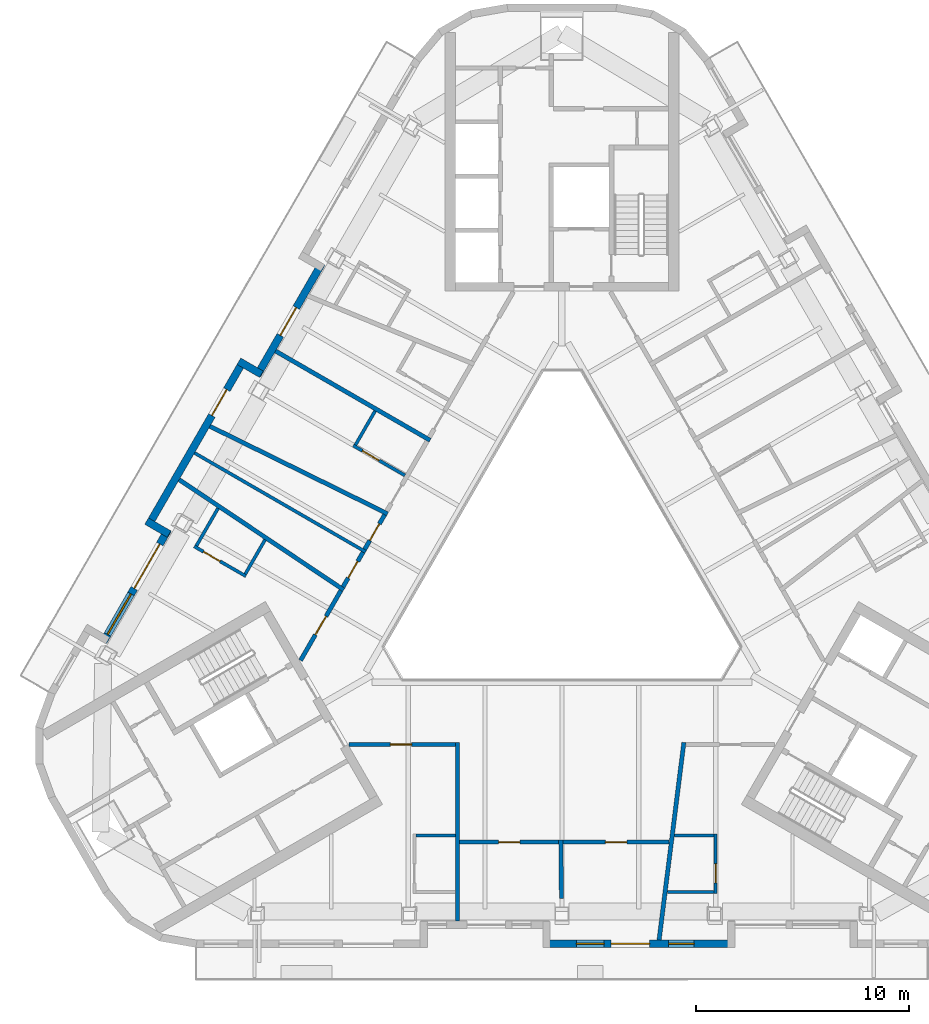
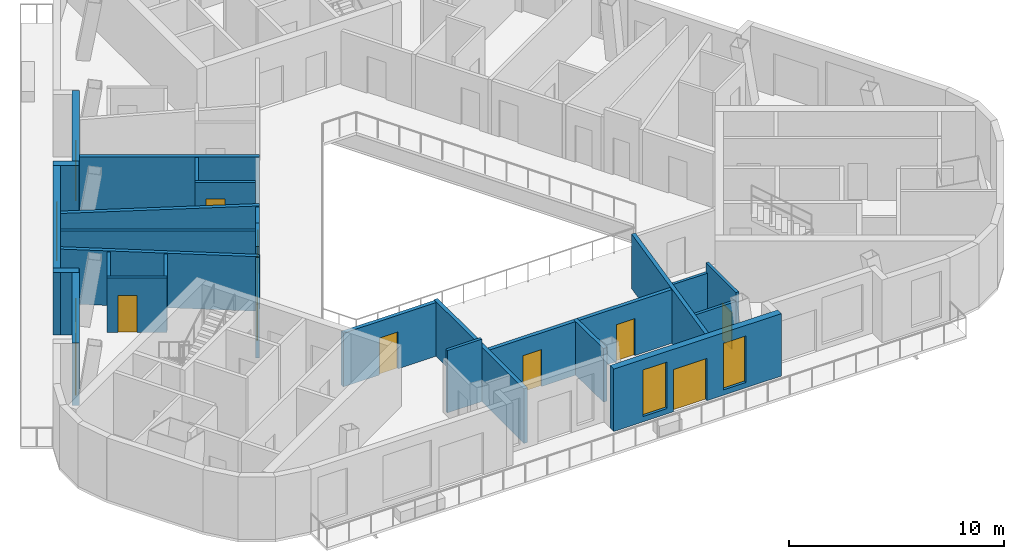
# One storey, part 4 of 13: 28 walls, 13 doors, 3 windows, 16 openings.
"""IFC4 building model written with IfcOpenShell, lengths in metres."""

from ifc_helpers import new_model, si_unit, direction, frame, frame_2d, origin, place, context, subcontext, project, spatial, rectangle, extrude, material, layer, layer_set, type_object, element, fill, save


model = new_model("IFC4")

# Units and contexts
model_context = context("Model", 3, precision=1e-05, world=origin(), true_north=direction((0.0, 1.0)))
body_context = subcontext(model_context, "Body", "Model", "MODEL_VIEW")
ifc_project = project(units=[si_unit("LENGTHUNIT", "METRE"), si_unit("AREAUNIT", "SQUARE_METRE"), si_unit("VOLUMEUNIT", "CUBIC_METRE"), si_unit("PLANEANGLEUNIT", "RADIAN"), si_unit("MASSUNIT", "GRAM", prefix="KILO")], contexts=[model_context])

# Site, building, storey
site_placement = place(None, origin())
site = spatial("IfcSite", under=ifc_project, at=site_placement, CompositionType="ELEMENT")
building_placement = place(site_placement, origin())
building = spatial("IfcBuilding", under=site, at=building_placement, Name="Apuvela Tower Hotel", CompositionType="ELEMENT")
storey_placement = place(building_placement, frame((0.0, 0.0, 287.39990234375)))
storey = spatial("IfcBuildingStorey", under=building, at=storey_placement, Name="L71", CompositionType="ELEMENT", Elevation=287.39990234375)

# Wall, opening, door
ifc_material_1 = material(Name="Concrete C40/50, dark pigmented precast panel", Category="concrete")
ifc_layer_1 = layer(ifc_material_1, 0.35009765625)
ifc_layer_set_1 = layer_set([ifc_layer_1], Name="ENV-WALL-350")
wall_type_1 = type_object("IfcWallType", Name="ENV-WALL-350", PredefinedType="SOLIDWALL", material=ifc_layer_set_1)
wall_1_placement = place(storey_placement, frame((-11.278076171875, 14.17333984375, 0.0), z_axis=(0.0, 0.0, 1.0), x_axis=(-0.499985371027, -0.866033849661, 0.0)))
wall_1 = element("IfcWall", 1, at=wall_1_placement, inside=storey, type_object=wall_type_1, Name="External wall L71-03", PredefinedType="SOLIDWALL", context=body_context, shape_type="SweptSolid", body=[
    extrude(rectangle(XDim=6.055419921875, YDim=0.35009765625, at=frame_2d((3.02783203125, 0.0))), origin(), (0.0, 0.0, 1.0), 3.550048828125),
])
opening_1_placement = place(wall_1_placement, frame((2.38427734375, 0.0, 0.0)))
opening_1 = element("IfcOpeningElement", 2, at=opening_1_placement, cuts=wall_1, Name="Opening BD15", PredefinedType="OPENING", context=body_context, shape_type="SweptSolid", body=[
    extrude(rectangle(XDim=1.5, YDim=2.39990234375, at=frame_2d((0.75, 1.199951171875))), frame((0.0, 0.18505859375, 0.0), z_axis=(0.0, -1.0, 0.0), x_axis=(1.0, 0.0, 0.0)), (0.0, 0.0, 1.0), 0.3701171875),
])
ifc_material_2 = material(Name="Aluminium 6063-T6, dark bronze anodised frame with dark tinted laminated glass", Category="aluminium")
door_type_1 = type_object("IfcDoorType", Name="ENV-DOOR-BALCONY-1500x2400", OperationType="SLIDING_TO_LEFT", PredefinedType="DOOR", material=ifc_material_2)
door_1_placement = place(opening_1_placement, frame((1.5, 0.0, 0.0), z_axis=(0.0, 0.0, 1.0), x_axis=(-1.0, 0.0, 0.0)))
door_1 = element("IfcDoor", 3, at=door_1_placement, inside=storey, type_object=door_type_1, Name="Balcony door BD15", OperationType="SLIDING_TO_LEFT", OverallHeight=2.39990234375, OverallWidth=1.5, PredefinedType="DOOR", context=body_context, shape_type="SweptSolid", body=[
    extrude(rectangle(XDim=1.5, YDim=2.39990234375, at=frame_2d((0.75, 1.199951171875))), frame((0.0, 0.02490234375, 0.0), z_axis=(0.0, -1.0, 0.0), x_axis=(1.0, 0.0, 0.0)), (0.0, 0.0, 1.0), 0.050048828125),
])
fill(opening_1, door_1)

# Wall
wall_2_placement = place(storey_placement, frame((-14.107666015625, 8.982177734375, 0.0), z_axis=(0.0, 0.0, 1.0), x_axis=(-0.866005645448, 0.500034220881, 0.0)))
element("IfcWall", 4, at=wall_2_placement, inside=storey, type_object=wall_type_1, Name="External wall L71-04", PredefinedType="SOLIDWALL", context=body_context, shape_type="SweptSolid", body=[
    extrude(rectangle(XDim=1.22021484375, YDim=0.35009765625, at=frame_2d((0.610107421875, 0.0))), origin(), (0.0, 0.0, 1.0), 3.550048828125),
])

# Wall, opening, door
wall_3_placement = place(storey_placement, frame((-14.925048828125, 9.65625, 0.0), z_axis=(0.0, 0.0, 1.0), x_axis=(-0.500018599098, -0.866014665324, 0.0)))
wall_3 = element("IfcWall", 5, at=wall_3_placement, inside=storey, type_object=wall_type_1, Name="External wall L71-05", PredefinedType="SOLIDWALL", context=body_context, shape_type="SweptSolid", body=[
    extrude(rectangle(XDim=9.015380859375, YDim=0.35009765625, at=frame_2d((4.5078125, 0.0))), origin(), (0.0, 0.0, 1.0), 3.550048828125),
])
opening_2_placement = place(wall_3_placement, frame((1.6142578125, 0.0, 0.0)))
opening_2 = element("IfcOpeningElement", 6, at=opening_2_placement, cuts=wall_3, Name="Opening BD14", PredefinedType="OPENING", context=body_context, shape_type="SweptSolid", body=[
    extrude(rectangle(XDim=1.39990234375, YDim=2.39990234375, at=frame_2d((0.699951171875, 1.199951171875))), frame((0.0, 0.18505859375, 0.0), z_axis=(0.0, -1.0, 0.0), x_axis=(1.0, 0.0, 0.0)), (0.0, 0.0, 1.0), 0.3701171875),
])
door_type_2 = type_object("IfcDoorType", Name="ENV-DOOR-BALCONY-1400x2400", OperationType="SLIDING_TO_LEFT", PredefinedType="DOOR", material=ifc_material_2)
door_2_placement = place(opening_2_placement, frame((1.39990234375, 0.0, 0.0), z_axis=(0.0, 0.0, 1.0), x_axis=(-1.0, 0.0, 0.0)))
door_2 = element("IfcDoor", 7, at=door_2_placement, inside=storey, type_object=door_type_2, Name="Balcony door BD14", OperationType="SLIDING_TO_LEFT", OverallHeight=2.39990234375, OverallWidth=1.39990234375, PredefinedType="DOOR", context=body_context, shape_type="SweptSolid", body=[
    extrude(rectangle(XDim=1.39990234375, YDim=2.39990234375, at=frame_2d((0.699951171875, 1.199951171875))), frame((0.0, 0.02490234375, 0.0), z_axis=(0.0, -1.0, 0.0), x_axis=(1.0, 0.0, 0.0)), (0.0, 0.0, 1.0), 0.050048828125),
])
fill(opening_2, door_2)

# Wall
wall_4_placement = place(storey_placement, frame((-19.496826171875, 2.087890625, 0.0), z_axis=(0.0, 0.0, 1.0), x_axis=(0.866005645448, -0.500034220881, 0.0)))
element("IfcWall", 8, at=wall_4_placement, inside=storey, type_object=wall_type_1, Name="External wall L71-06", PredefinedType="SOLIDWALL", context=body_context, shape_type="SweptSolid", body=[
    extrude(rectangle(XDim=1.22021484375, YDim=0.35009765625, at=frame_2d((0.610107421875, 0.0))), origin(), (0.0, 0.0, 1.0), 3.550048828125),
])

# Wall, openings, door, window
wall_5_placement = place(storey_placement, frame((-18.493408203125, 1.676025390625, 0.0), z_axis=(0.0, 0.0, 1.0), x_axis=(-0.499985371027, -0.866033849661, 0.0)))
wall_5 = element("IfcWall", 9, at=wall_5_placement, inside=storey, type_object=wall_type_1, Name="External wall L71-07", PredefinedType="SOLIDWALL", context=body_context, shape_type="SweptSolid", body=[
    extrude(rectangle(XDim=6.055419921875, YDim=0.35009765625, at=frame_2d((3.02783203125, 0.0))), origin(), (0.0, 0.0, 1.0), 3.550048828125),
])
opening_3_placement = place(wall_5_placement, frame((0.77001953125, 0.0, 0.0)))
opening_3 = element("IfcOpeningElement", 10, at=opening_3_placement, cuts=wall_5, Name="Opening BD24", PredefinedType="OPENING", context=body_context, shape_type="SweptSolid", body=[
    extrude(rectangle(XDim=2.39990234375, YDim=2.39990234375, at=frame_2d((1.199951171875, 1.199951171875))), frame((0.0, 0.18505859375, 0.0), z_axis=(0.0, -1.0, 0.0), x_axis=(1.0, 0.0, 0.0)), (0.0, 0.0, 1.0), 0.3701171875),
])
opening_4_placement = place(wall_5_placement, frame((3.47021484375, 0.0, 0.300048828125)))
opening_4 = element("IfcOpeningElement", 11, at=opening_4_placement, cuts=wall_5, Name="Opening WN22", PredefinedType="OPENING", context=body_context, shape_type="SweptSolid", body=[
    extrude(rectangle(XDim=2.199951171875, YDim=2.64990234375, at=frame_2d((1.10009765625, 1.324951171875))), frame((0.0, 0.18505859375, 0.0), z_axis=(0.0, -1.0, 0.0), x_axis=(1.0, 0.0, 0.0)), (0.0, 0.0, 1.0), 0.3701171875),
])
door_type_3 = type_object("IfcDoorType", Name="ENV-DOOR-BALCONY-2400x2400", OperationType="SLIDING_TO_LEFT", PredefinedType="DOOR", material=ifc_material_2)
door_3_placement = place(opening_3_placement, frame((2.39990234375, 0.0, 0.0), z_axis=(0.0, 0.0, 1.0), x_axis=(-1.0, 0.0, 0.0)))
door_3 = element("IfcDoor", 12, at=door_3_placement, inside=storey, type_object=door_type_3, Name="Balcony door BD24", OperationType="SLIDING_TO_LEFT", OverallHeight=2.39990234375, OverallWidth=2.39990234375, PredefinedType="DOOR", context=body_context, shape_type="SweptSolid", body=[
    extrude(rectangle(XDim=2.39990234375, YDim=2.39990234375, at=frame_2d((1.199951171875, 1.199951171875))), frame((0.0, 0.02490234375, 0.0), z_axis=(0.0, -1.0, 0.0), x_axis=(1.0, 0.0, 0.0)), (0.0, 0.0, 1.0), 0.050048828125),
])
fill(opening_3, door_3)
ifc_material_3 = material(Name="Glass, dark tinted laminated insulated glazing unit", Category="glass")
window_type_1 = type_object("IfcWindowType", Name="ENV-WIN-2200x2650", PartitioningType="SINGLE_PANEL", PredefinedType="WINDOW", material=ifc_material_3)
window_1_placement = place(opening_4_placement, origin())
window_1 = element("IfcWindow", 13, at=window_1_placement, inside=storey, type_object=window_type_1, Name="Window WN22", OverallHeight=2.64990234375, OverallWidth=2.199951171875, PartitioningType="SINGLE_PANEL", PredefinedType="WINDOW", context=body_context, shape_type="SweptSolid", body=[
    extrude(rectangle(XDim=2.199951171875, YDim=2.64990234375, at=frame_2d((1.10009765625, 1.324951171875))), frame((0.0, 0.030029296875, 0.0), z_axis=(0.0, -1.0, 0.0), x_axis=(1.0, 0.0, 0.0)), (0.0, 0.0, 1.0), 0.06005859375),
])
fill(opening_4, window_1)

# Wall, openings, door, windows
wall_6_placement = place(storey_placement, frame((-0.89990234375, -17.753662109375, 0.0), z_axis=(0.0, 0.0, 1.0), x_axis=(1.0, 0.0, 0.0)))
wall_6 = element("IfcWall", 14, at=wall_6_placement, inside=storey, type_object=wall_type_1, Name="External wall L71-21", PredefinedType="SOLIDWALL", context=body_context, shape_type="SweptSolid", body=[
    extrude(rectangle(XDim=9.015380859375, YDim=0.35009765625, at=frame_2d((4.5078125, 0.0))), origin(), (0.0, 0.0, 1.0), 3.550048828125),
])
opening_5_placement = place(wall_6_placement, frame((3.2109375, 0.0, 0.0)))
opening_5 = element("IfcOpeningElement", 15, at=opening_5_placement, cuts=wall_6, Name="Opening BD18", PredefinedType="OPENING", context=body_context, shape_type="SweptSolid", body=[
    extrude(rectangle(XDim=1.800048828125, YDim=2.39990234375, at=frame_2d((0.89990234375, 1.199951171875))), frame((0.0, 0.18505859375, 0.0), z_axis=(0.0, -1.0, 0.0), x_axis=(1.0, 0.0, 0.0)), (0.0, 0.0, 1.0), 0.3701171875),
])
opening_6_placement = place(wall_6_placement, frame((1.5791015625, 0.0, 0.300048828125)))
opening_6 = element("IfcOpeningElement", 16, at=opening_6_placement, cuts=wall_6, Name="Opening WN13", PredefinedType="OPENING", context=body_context, shape_type="SweptSolid", body=[
    extrude(rectangle(XDim=1.300048828125, YDim=2.64990234375, at=frame_2d((0.64990234375, 1.324951171875))), frame((0.0, 0.18505859375, 0.0), z_axis=(0.0, -1.0, 0.0), x_axis=(1.0, 0.0, 0.0)), (0.0, 0.0, 1.0), 0.3701171875),
])
opening_7_placement = place(wall_6_placement, frame((5.9111328125, 0.0, 0.300048828125)))
opening_7 = element("IfcOpeningElement", 17, at=opening_7_placement, cuts=wall_6, Name="Opening WN12", PredefinedType="OPENING", context=body_context, shape_type="SweptSolid", body=[
    extrude(rectangle(XDim=1.199951171875, YDim=2.64990234375, at=frame_2d((0.60009765625, 1.324951171875))), frame((0.0, 0.18505859375, 0.0), z_axis=(0.0, -1.0, 0.0), x_axis=(1.0, 0.0, 0.0)), (0.0, 0.0, 1.0), 0.3701171875),
])
door_type_4 = type_object("IfcDoorType", Name="ENV-DOOR-BALCONY-1800x2400", OperationType="SLIDING_TO_LEFT", PredefinedType="DOOR", material=ifc_material_2)
door_4_placement = place(opening_5_placement, frame((1.800048828125, 0.0, 0.0), z_axis=(0.0, 0.0, 1.0), x_axis=(-1.0, 0.0, 0.0)))
door_4 = element("IfcDoor", 18, at=door_4_placement, inside=storey, type_object=door_type_4, Name="Balcony door BD18", OperationType="SLIDING_TO_LEFT", OverallHeight=2.39990234375, OverallWidth=1.800048828125, PredefinedType="DOOR", context=body_context, shape_type="SweptSolid", body=[
    extrude(rectangle(XDim=1.800048828125, YDim=2.39990234375, at=frame_2d((0.89990234375, 1.199951171875))), frame((0.0, 0.02490234375, 0.0), z_axis=(0.0, -1.0, 0.0), x_axis=(1.0, 0.0, 0.0)), (0.0, 0.0, 1.0), 0.050048828125),
])
fill(opening_5, door_4)
window_type_2 = type_object("IfcWindowType", Name="ENV-WIN-1200x2650", PartitioningType="SINGLE_PANEL", PredefinedType="WINDOW", material=ifc_material_3)
window_2_placement = place(opening_7_placement, origin())
window_2 = element("IfcWindow", 19, at=window_2_placement, inside=storey, type_object=window_type_2, Name="Window WN12", OverallHeight=2.64990234375, OverallWidth=1.199951171875, PartitioningType="SINGLE_PANEL", PredefinedType="WINDOW", context=body_context, shape_type="SweptSolid", body=[
    extrude(rectangle(XDim=1.199951171875, YDim=2.64990234375, at=frame_2d((0.60009765625, 1.324951171875))), frame((0.0, 0.030029296875, 0.0), z_axis=(0.0, -1.0, 0.0), x_axis=(1.0, 0.0, 0.0)), (0.0, 0.0, 1.0), 0.06005859375),
])
fill(opening_7, window_2)
window_type_3 = type_object("IfcWindowType", Name="ENV-WIN-1300x2650", PartitioningType="SINGLE_PANEL", PredefinedType="WINDOW", material=ifc_material_3)
window_3_placement = place(opening_6_placement, origin())
window_3 = element("IfcWindow", 20, at=window_3_placement, inside=storey, type_object=window_type_3, Name="Window WN13", OverallHeight=2.64990234375, OverallWidth=1.300048828125, PartitioningType="SINGLE_PANEL", PredefinedType="WINDOW", context=body_context, shape_type="SweptSolid", body=[
    extrude(rectangle(XDim=1.300048828125, YDim=2.64990234375, at=frame_2d((0.64990234375, 1.324951171875))), frame((0.0, 0.030029296875, 0.0), z_axis=(0.0, -1.0, 0.0), x_axis=(1.0, 0.0, 0.0)), (0.0, 0.0, 1.0), 0.06005859375),
])
fill(opening_6, window_3)

# Walls
ifc_material_4 = material(Name="Gypsum board partition on twin steel stud", Category="steel")
ifc_layer_2 = layer(ifc_material_4, 0.199951171875)
ifc_layer_set_2 = layer_set([ifc_layer_2], Name="GST-PW1")
wall_type_2 = type_object("IfcWallType", Name="GST-PW1", PredefinedType="PARTITIONING", material=ifc_layer_set_2)
wall_7_placement = place(storey_placement, frame((-4.89990234375, -16.6787109375, 0.0), z_axis=(0.0, 0.0, 1.0), x_axis=(0.0, 1.0, 0.0)))
element("IfcWall", 21, at=wall_7_placement, inside=storey, type_object=wall_type_2, Name="L71 partition 01", PredefinedType="PARTITIONING", context=body_context, shape_type="SweptSolid", body=[
    extrude(rectangle(XDim=8.378662109375, YDim=0.199951171875, at=frame_2d((4.189453125, 0.0))), origin(), (0.0, 0.0, 1.0), 3.10009765625),
])
wall_8_placement = place(storey_placement, frame((-0.021484375, -15.6328125, 0.0), z_axis=(0.0, 0.0, 1.0), x_axis=(-0.010991269362, 0.999939594174, 0.0)))
element("IfcWall", 22, at=wall_8_placement, inside=storey, type_object=wall_type_2, Name="L71 partition 02", PredefinedType="PARTITIONING", context=body_context, shape_type="SweptSolid", body=[
    extrude(rectangle(XDim=2.75439453125, YDim=0.199951171875, at=frame_2d((1.377197265625, 0.0))), origin(), (0.0, 0.0, 1.0), 3.050048828125),
])
wall_9_placement = place(storey_placement, frame((4.56005859375, -17.57861328125, 0.0), z_axis=(0.0, 0.0, 1.0), x_axis=(0.124584174438, 0.992209042228, 0.0)))
element("IfcWall", 23, at=wall_9_placement, inside=storey, type_object=wall_type_2, Name="L71 partition 03", PredefinedType="PARTITIONING", context=body_context, shape_type="SweptSolid", body=[
    extrude(rectangle(XDim=9.351318359375, YDim=0.199951171875, at=frame_2d((4.67578125, 0.0))), origin(), (0.0, 0.0, 1.0), 3.10009765625),
])
wall_10_placement = place(storey_placement, frame((-13.444091796875, 10.0712890625, 0.0), z_axis=(0.0, 0.0, 1.0), x_axis=(0.866030795796, -0.499990660646, 0.0)))
element("IfcWall", 24, at=wall_10_placement, inside=storey, type_object=wall_type_2, Name="L71 partition 09", PredefinedType="PARTITIONING", context=body_context, shape_type="SweptSolid", body=[
    extrude(rectangle(XDim=8.378662109375, YDim=0.199951171875, at=frame_2d((4.189453125, 0.0))), origin(), (0.0, 0.0, 1.0), 3.10009765625),
])
wall_11_placement = place(storey_placement, frame((-16.523681640625, 6.53759765625, 0.0), z_axis=(0.0, 0.0, 1.0), x_axis=(0.897120251728, -0.441786434762, 0.0)))
element("IfcWall", 25, at=wall_11_placement, inside=storey, type_object=wall_type_2, Name="L71 partition 10", PredefinedType="PARTITIONING", context=body_context, shape_type="SweptSolid", body=[
    extrude(rectangle(XDim=9.299072265625, YDim=0.199951171875, at=frame_2d((4.6494140625, 0.0))), origin(), (0.0, 0.0, 1.0), 3.10009765625),
])
wall_12_placement = place(storey_placement, frame((-17.968505859375, 4.034912109375, 0.0), z_axis=(0.0, 0.0, 1.0), x_axis=(0.830560992963, -0.556927676604, 0.0)))
element("IfcWall", 26, at=wall_12_placement, inside=storey, type_object=wall_type_2, Name="L71 partition 11", PredefinedType="PARTITIONING", context=body_context, shape_type="SweptSolid", body=[
    extrude(rectangle(XDim=9.299560546875, YDim=0.199951171875, at=frame_2d((4.64990234375, 0.0))), origin(), (0.0, 0.0, 1.0), 3.10009765625),
])

# Wall, opening, door
ifc_material_5 = material(Name="Gypsum board corridor wall on twin steel stud, acoustic", Category="steel")
ifc_layer_3 = layer(ifc_material_5, 0.199951171875)
ifc_layer_set_3 = layer_set([ifc_layer_3], Name="GST-PW2")
wall_type_3 = type_object("IfcWallType", Name="GST-PW2", PredefinedType="PARTITIONING", material=ifc_layer_set_3)
wall_13_placement = place(storey_placement, frame((-5.0, -8.39990234375, 0.0), z_axis=(0.0, 0.0, 1.0), x_axis=(-1.0, 0.0, 0.0)))
wall_13 = element("IfcWall", 27, at=wall_13_placement, inside=storey, type_object=wall_type_3, Name="L71 partition 12", PredefinedType="PARTITIONING", context=body_context, shape_type="SweptSolid", body=[
    extrude(rectangle(XDim=4.98828125, YDim=0.199951171875, at=frame_2d((2.494140625, 0.0))), origin(), (0.0, 0.0, 1.0), 3.050048828125),
])
opening_8_placement = place(wall_13_placement, frame((2.050048828125, 0.0, 0.0)))
opening_8 = element("IfcOpeningElement", 28, at=opening_8_placement, cuts=wall_13, Name="Opening GD28-02", PredefinedType="OPENING", context=body_context, shape_type="SweptSolid", body=[
    extrude(rectangle(XDim=1.0, YDim=2.10009765625, at=frame_2d((0.5, 1.050048828125))), frame((0.0, 0.10986328125, 0.0), z_axis=(0.0, -1.0, 0.0), x_axis=(1.0, 0.0, 0.0)), (0.0, 0.0, 1.0), 0.219970703125),
])
ifc_material_6 = material(Name="Timber door leaf in steel frame", Category="steel")
door_type_5 = type_object("IfcDoorType", Name="GST-D1", OperationType="NOTDEFINED", PredefinedType="DOOR", material=ifc_material_6)
door_5_placement = place(opening_8_placement, origin())
door_5 = element("IfcDoor", 29, at=door_5_placement, inside=storey, type_object=door_type_5, Name="Door L71-02", OperationType="SINGLE_SWING_LEFT", OverallHeight=2.10009765625, OverallWidth=1.0, PredefinedType="DOOR", context=body_context, shape_type="SweptSolid", body=[
    extrude(rectangle(XDim=1.0, YDim=2.10009765625, at=frame_2d((0.5, 1.050048828125))), frame((0.0, 0.02490234375, 0.0), z_axis=(0.0, -1.0, 0.0), x_axis=(1.0, 0.0, 0.0)), (0.0, 0.0, 1.0), 0.050048828125),
])
fill(opening_8, door_5)

wall_14_placement = place(storey_placement, frame((-0.150634765625, -12.978759765625, 0.0), z_axis=(0.0, 0.0, 1.0), x_axis=(-1.0, 0.0, 0.0)))
wall_14 = element("IfcWall", 30, at=wall_14_placement, inside=storey, type_object=wall_type_3, Name="L71 partition 16", PredefinedType="PARTITIONING", context=body_context, shape_type="SweptSolid", body=[
    extrude(rectangle(XDim=4.6494140625, YDim=0.199951171875, at=frame_2d((2.32470703125, 0.0))), origin(), (0.0, 0.0, 1.0), 3.050048828125),
])
opening_9_placement = place(wall_14_placement, frame((1.82470703125, 0.0, 0.0)))
opening_9 = element("IfcOpeningElement", 31, at=opening_9_placement, cuts=wall_14, Name="Opening GD28-03", PredefinedType="OPENING", context=body_context, shape_type="SweptSolid", body=[
    extrude(rectangle(XDim=1.0, YDim=2.10009765625, at=frame_2d((0.5, 1.050048828125))), frame((0.0, 0.10986328125, 0.0), z_axis=(0.0, -1.0, 0.0), x_axis=(1.0, 0.0, 0.0)), (0.0, 0.0, 1.0), 0.219970703125),
])
door_6_placement = place(opening_9_placement, origin())
door_6 = element("IfcDoor", 32, at=door_6_placement, inside=storey, type_object=door_type_5, Name="Door L71-03", OperationType="SINGLE_SWING_LEFT", OverallHeight=2.10009765625, OverallWidth=1.0, PredefinedType="DOOR", context=body_context, shape_type="SweptSolid", body=[
    extrude(rectangle(XDim=1.0, YDim=2.10009765625, at=frame_2d((0.5, 1.050048828125))), frame((0.0, 0.02490234375, 0.0), z_axis=(0.0, -1.0, 0.0), x_axis=(1.0, 0.0, 0.0)), (0.0, 0.0, 1.0), 0.050048828125),
])
fill(opening_9, door_6)

wall_15_placement = place(storey_placement, frame((5.036865234375, -12.978759765625, 0.0), z_axis=(0.0, 0.0, 1.0), x_axis=(-1.0, 0.0, 0.0)))
wall_15 = element("IfcWall", 33, at=wall_15_placement, inside=storey, type_object=wall_type_3, Name="L71 partition 17", PredefinedType="PARTITIONING", context=body_context, shape_type="SweptSolid", body=[
    extrude(rectangle(XDim=4.987548828125, YDim=0.199951171875, at=frame_2d((2.49365234375, 0.0))), origin(), (0.0, 0.0, 1.0), 3.050048828125),
])
opening_10_placement = place(wall_15_placement, frame((1.99365234375, 0.0, 0.0)))
opening_10 = element("IfcOpeningElement", 34, at=opening_10_placement, cuts=wall_15, Name="Opening GD28-04", PredefinedType="OPENING", context=body_context, shape_type="SweptSolid", body=[
    extrude(rectangle(XDim=1.0, YDim=2.10009765625, at=frame_2d((0.5, 1.050048828125))), frame((0.0, 0.10986328125, 0.0), z_axis=(0.0, -1.0, 0.0), x_axis=(1.0, 0.0, 0.0)), (0.0, 0.0, 1.0), 0.219970703125),
])
door_7_placement = place(opening_10_placement, origin())
door_7 = element("IfcDoor", 35, at=door_7_placement, inside=storey, type_object=door_type_5, Name="Door L71-04", OperationType="SINGLE_SWING_LEFT", OverallHeight=2.10009765625, OverallWidth=1.0, PredefinedType="DOOR", context=body_context, shape_type="SweptSolid", body=[
    extrude(rectangle(XDim=1.0, YDim=2.10009765625, at=frame_2d((0.5, 1.050048828125))), frame((0.0, 0.02490234375, 0.0), z_axis=(0.0, -1.0, 0.0), x_axis=(1.0, 0.0, 0.0)), (0.0, 0.0, 1.0), 0.050048828125),
])
fill(opening_10, door_7)

wall_16_placement = place(storey_placement, frame((-9.26220703125, 0.757568359375, 0.0), z_axis=(0.0, 0.0, 1.0), x_axis=(0.500074377092, 0.865982457891, 0.0)))
wall_16 = element("IfcWall", 36, at=wall_16_placement, inside=storey, type_object=wall_type_3, Name="L71 partition 50", PredefinedType="PARTITIONING", context=body_context, shape_type="SweptSolid", body=[
    extrude(rectangle(XDim=1.881591796875, YDim=0.199951171875, at=frame_2d((0.94091796875, 0.0))), origin(), (0.0, 0.0, 1.0), 3.050048828125),
])
opening_11_placement = place(wall_16_placement, frame((0.49072265625, 0.0, 0.0)))
opening_11 = element("IfcOpeningElement", 37, at=opening_11_placement, cuts=wall_16, Name="Opening GD28-23", PredefinedType="OPENING", context=body_context, shape_type="SweptSolid", body=[
    extrude(rectangle(XDim=0.89990234375, YDim=2.10009765625, at=frame_2d((0.449951171875, 1.050048828125))), frame((0.0, 0.10986328125, 0.0), z_axis=(0.0, -1.0, 0.0), x_axis=(1.0, 0.0, 0.0)), (0.0, 0.0, 1.0), 0.219970703125),
])
door_type_6 = type_object("IfcDoorType", Name="GST-D2", OperationType="NOTDEFINED", PredefinedType="DOOR", material=ifc_material_6)
door_8_placement = place(opening_11_placement, origin())
door_8 = element("IfcDoor", 38, at=door_8_placement, inside=storey, type_object=door_type_6, Name="Door L71-23", OperationType="SINGLE_SWING_LEFT", OverallHeight=2.10009765625, OverallWidth=0.89990234375, PredefinedType="DOOR", context=body_context, shape_type="SweptSolid", body=[
    extrude(rectangle(XDim=0.89990234375, YDim=2.10009765625, at=frame_2d((0.449951171875, 1.050048828125))), frame((0.0, 0.02490234375, 0.0), z_axis=(0.0, -1.0, 0.0), x_axis=(1.0, 0.0, 0.0)), (0.0, 0.0, 1.0), 0.050048828125),
])
fill(opening_11, door_8)

wall_17_placement = place(storey_placement, frame((-10.27783203125, -1.001708984375, 0.0), z_axis=(0.0, 0.0, 1.0), x_axis=(0.499977061294, 0.866038647048, 0.0)))
wall_17 = element("IfcWall", 39, at=wall_17_placement, inside=storey, type_object=wall_type_3, Name="L71 partition 51", PredefinedType="PARTITIONING", context=body_context, shape_type="SweptSolid", body=[
    extrude(rectangle(XDim=1.88134765625, YDim=0.199951171875, at=frame_2d((0.940673828125, 0.0))), origin(), (0.0, 0.0, 1.0), 3.550048828125),
])
opening_12_placement = place(wall_17_placement, frame((0.49072265625, 0.0, 0.0)))
opening_12 = element("IfcOpeningElement", 40, at=opening_12_placement, cuts=wall_17, Name="Opening GD28-24", PredefinedType="OPENING", context=body_context, shape_type="SweptSolid", body=[
    extrude(rectangle(XDim=0.89990234375, YDim=2.10009765625, at=frame_2d((0.449951171875, 1.050048828125))), frame((0.0, 0.10986328125, 0.0), z_axis=(0.0, -1.0, 0.0), x_axis=(1.0, 0.0, 0.0)), (0.0, 0.0, 1.0), 0.219970703125),
])
door_9_placement = place(opening_12_placement, origin())
door_9 = element("IfcDoor", 41, at=door_9_placement, inside=storey, type_object=door_type_6, Name="Door L71-24", OperationType="SINGLE_SWING_RIGHT", OverallHeight=2.10009765625, OverallWidth=0.89990234375, PredefinedType="DOOR", context=body_context, shape_type="SweptSolid", body=[
    extrude(rectangle(XDim=0.89990234375, YDim=2.10009765625, at=frame_2d((0.449951171875, 1.050048828125))), frame((0.0, 0.02490234375, 0.0), z_axis=(0.0, -1.0, 0.0), x_axis=(1.0, 0.0, 0.0)), (0.0, 0.0, 1.0), 0.050048828125),
])
fill(opening_12, door_9)

wall_18_placement = place(storey_placement, frame((-12.268798828125, -4.449951171875, 0.0), z_axis=(0.0, 0.0, 1.0), x_axis=(0.500000040646, 0.866025380318, 0.0)))
wall_18 = element("IfcWall", 42, at=wall_18_placement, inside=storey, type_object=wall_type_3, Name="L71 partition 52", PredefinedType="PARTITIONING", context=body_context, shape_type="SweptSolid", body=[
    extrude(rectangle(XDim=3.78125, YDim=0.199951171875, at=frame_2d((1.890625, 0.0))), origin(), (0.0, 0.0, 1.0), 3.050048828125),
])
opening_13_placement = place(wall_18_placement, frame((1.390625, 0.0, 0.0)))
opening_13 = element("IfcOpeningElement", 43, at=opening_13_placement, cuts=wall_18, Name="Opening GD28-26", PredefinedType="OPENING", context=body_context, shape_type="SweptSolid", body=[
    extrude(rectangle(XDim=1.0, YDim=2.10009765625, at=frame_2d((0.5, 1.050048828125))), frame((0.0, 0.10986328125, 0.0), z_axis=(0.0, -1.0, 0.0), x_axis=(1.0, 0.0, 0.0)), (0.0, 0.0, 1.0), 0.219970703125),
])
door_10_placement = place(opening_13_placement, origin())
door_10 = element("IfcDoor", 44, at=door_10_placement, inside=storey, type_object=door_type_5, Name="Door L71-26", OperationType="SINGLE_SWING_RIGHT", OverallHeight=2.10009765625, OverallWidth=1.0, PredefinedType="DOOR", context=body_context, shape_type="SweptSolid", body=[
    extrude(rectangle(XDim=1.0, YDim=2.10009765625, at=frame_2d((0.5, 1.050048828125))), frame((0.0, 0.02490234375, 0.0), z_axis=(0.0, -1.0, 0.0), x_axis=(1.0, 0.0, 0.0)), (0.0, 0.0, 1.0), 0.050048828125),
])
fill(opening_13, door_10)

# Wall
ifc_material_7 = material(Name="Moisture-resistant gypsum board wet wall on steel stud", Category="steel")
ifc_layer_4 = layer(ifc_material_7, 0.14990234375)
ifc_layer_set_4 = layer_set([ifc_layer_4], Name="GST-PW3")
wall_type_4 = type_object("IfcWallType", Name="GST-PW3", PredefinedType="PARTITIONING", material=ifc_layer_set_4)
wall_19_placement = place(storey_placement, frame((-6.85009765625, -12.675048828125, 0.0), z_axis=(0.0, 0.0, 1.0), x_axis=(1.0, 0.0, 0.0)))
element("IfcWall", 45, at=wall_19_placement, inside=storey, type_object=wall_type_4, Name="L71 partition 15", PredefinedType="PARTITIONING", context=body_context, shape_type="SweptSolid", body=[
    extrude(rectangle(XDim=1.85009765625, YDim=0.14990234375, at=frame_2d((0.925048828125, 0.0))), origin(), (0.0, 0.0, 1.0), 3.550048828125),
])

# Wall, opening, door
wall_20_placement = place(storey_placement, frame((7.2109375, -15.39990234375, 0.0), z_axis=(0.0, 0.0, 1.0), x_axis=(0.0, 1.0, 0.0)))
wall_20 = element("IfcWall", 46, at=wall_20_placement, inside=storey, type_object=wall_type_4, Name="L71 partition 19", PredefinedType="PARTITIONING", context=body_context, shape_type="SweptSolid", body=[
    extrude(rectangle(XDim=2.7998046875, YDim=0.14990234375, at=frame_2d((1.39990234375, 0.0))), origin(), (0.0, 0.0, 1.0), 3.550048828125),
])
opening_14_placement = place(wall_20_placement, frame((0.5, 0.0, 0.0)))
opening_14 = element("IfcOpeningElement", 47, at=opening_14_placement, cuts=wall_20, Name="Opening GD28-05", PredefinedType="OPENING", context=body_context, shape_type="SweptSolid", body=[
    extrude(rectangle(XDim=0.89990234375, YDim=2.10009765625, at=frame_2d((0.449951171875, 1.050048828125))), frame((0.0, 0.0849609375, 0.0), z_axis=(0.0, -1.0, 0.0), x_axis=(1.0, 0.0, 0.0)), (0.0, 0.0, 1.0), 0.169921875),
])
door_11_placement = place(opening_14_placement, origin())
door_11 = element("IfcDoor", 48, at=door_11_placement, inside=storey, type_object=door_type_6, Name="Door L71-05", OperationType="SINGLE_SWING_LEFT", OverallHeight=2.10009765625, OverallWidth=0.89990234375, PredefinedType="DOOR", context=body_context, shape_type="SweptSolid", body=[
    extrude(rectangle(XDim=0.89990234375, YDim=2.10009765625, at=frame_2d((0.449951171875, 1.050048828125))), frame((0.0, 0.02490234375, 0.0), z_axis=(0.0, -1.0, 0.0), x_axis=(1.0, 0.0, 0.0)), (0.0, 0.0, 1.0), 0.050048828125),
])
fill(opening_14, door_11)

# Walls
wall_21_placement = place(storey_placement, frame((4.94384765625, -15.324951171875, 0.0), z_axis=(0.0, 0.0, 1.0), x_axis=(1.0, 0.0, 0.0)))
element("IfcWall", 49, at=wall_21_placement, inside=storey, type_object=wall_type_4, Name="L71 partition 20", PredefinedType="PARTITIONING", context=body_context, shape_type="SweptSolid", body=[
    extrude(rectangle(XDim=2.192138671875, YDim=0.14990234375, at=frame_2d((1.09619140625, 0.0))), origin(), (0.0, 0.0, 1.0), 3.050048828125),
])
wall_22_placement = place(storey_placement, frame((5.276611328125, -12.675048828125, 0.0), z_axis=(0.0, 0.0, 1.0), x_axis=(1.0, 0.0, 0.0)))
element("IfcWall", 50, at=wall_22_placement, inside=storey, type_object=wall_type_4, Name="L71 partition 21", PredefinedType="PARTITIONING", context=body_context, shape_type="SweptSolid", body=[
    extrude(rectangle(XDim=1.859375, YDim=0.14990234375, at=frame_2d((0.9296875, 0.0))), origin(), (0.0, 0.0, 1.0), 3.050048828125),
])

# Wall, opening, door
wall_23_placement = place(storey_placement, frame((-9.795166015625, 5.63427734375, 0.0), z_axis=(0.0, 0.0, 1.0), x_axis=(0.866034573852, -0.49998411664, 0.0)))
wall_23 = element("IfcWall", 51, at=wall_23_placement, inside=storey, type_object=wall_type_4, Name="L71 partition 47", PredefinedType="PARTITIONING", context=body_context, shape_type="SweptSolid", body=[
    extrude(rectangle(XDim=2.7998046875, YDim=0.14990234375, at=frame_2d((1.39990234375, 0.0))), origin(), (0.0, 0.0, 1.0), 3.050048828125),
])
opening_15_placement = place(wall_23_placement, frame((0.5, 0.0, 0.0)))
opening_15 = element("IfcOpeningElement", 52, at=opening_15_placement, cuts=wall_23, Name="Opening GD28-21", PredefinedType="OPENING", context=body_context, shape_type="SweptSolid", body=[
    extrude(rectangle(XDim=0.89990234375, YDim=2.10009765625, at=frame_2d((0.449951171875, 1.050048828125))), frame((0.0, 0.0849609375, 0.0), z_axis=(0.0, -1.0, 0.0), x_axis=(1.0, 0.0, 0.0)), (0.0, 0.0, 1.0), 0.169921875),
])
door_12_placement = place(opening_15_placement, origin())
door_12 = element("IfcDoor", 53, at=door_12_placement, inside=storey, type_object=door_type_6, Name="Door L71-21", OperationType="SINGLE_SWING_LEFT", OverallHeight=2.10009765625, OverallWidth=0.89990234375, PredefinedType="DOOR", context=body_context, shape_type="SweptSolid", body=[
    extrude(rectangle(XDim=0.89990234375, YDim=2.10009765625, at=frame_2d((0.449951171875, 1.050048828125))), frame((0.0, 0.02490234375, 0.0), z_axis=(0.0, -1.0, 0.0), x_axis=(1.0, 0.0, 0.0)), (0.0, 0.0, 1.0), 0.050048828125),
])
fill(opening_15, door_12)

# Walls
wall_24_placement = place(storey_placement, frame((-8.77099609375, 7.2578125, 0.0), z_axis=(0.0, 0.0, 1.0), x_axis=(-0.50002820729, -0.866009117685, 0.0)))
element("IfcWall", 54, at=wall_24_placement, inside=storey, type_object=wall_type_4, Name="L71 partition 48", PredefinedType="PARTITIONING", context=body_context, shape_type="SweptSolid", body=[
    extrude(rectangle(XDim=1.84326171875, YDim=0.14990234375, at=frame_2d((0.921630859375, 0.0))), origin(), (0.0, 0.0, 1.0), 3.050048828125),
])
wall_25_placement = place(storey_placement, frame((-17.24609375, 5.286376953125, 0.0), z_axis=(0.0, 0.0, 1.0), x_axis=(0.865746766399, -0.500482303853, 0.0)))
element("IfcWall", 55, at=wall_25_placement, inside=storey, type_object=wall_type_4, Name="L71 partition 49", PredefinedType="PARTITIONING", context=body_context, shape_type="SweptSolid", body=[
    extrude(rectangle(XDim=9.278564453125, YDim=0.14990234375, at=frame_2d((4.63916015625, 0.0))), origin(), (0.0, 0.0, 1.0), 3.10009765625),
])

# Wall, opening, door
wall_26_placement = place(storey_placement, frame((-17.26171875, 0.90185546875, 0.0), z_axis=(0.0, 0.0, 1.0), x_axis=(0.866034573852, -0.49998411664, 0.0)))
wall_26 = element("IfcWall", 56, at=wall_26_placement, inside=storey, type_object=wall_type_4, Name="L71 partition 53", PredefinedType="PARTITIONING", context=body_context, shape_type="SweptSolid", body=[
    extrude(rectangle(XDim=2.7998046875, YDim=0.14990234375, at=frame_2d((1.39990234375, 0.0))), origin(), (0.0, 0.0, 1.0), 3.10009765625),
])
opening_16_placement = place(wall_26_placement, frame((0.5, 0.0, 0.0)))
opening_16 = element("IfcOpeningElement", 57, at=opening_16_placement, cuts=wall_26, Name="Opening GD28-25", PredefinedType="OPENING", context=body_context, shape_type="SweptSolid", body=[
    extrude(rectangle(XDim=0.89990234375, YDim=2.10009765625, at=frame_2d((0.449951171875, 1.050048828125))), frame((0.0, 0.0849609375, 0.0), z_axis=(0.0, -1.0, 0.0), x_axis=(1.0, 0.0, 0.0)), (0.0, 0.0, 1.0), 0.169921875),
])
door_13_placement = place(opening_16_placement, origin())
door_13 = element("IfcDoor", 58, at=door_13_placement, inside=storey, type_object=door_type_6, Name="Door L71-25", OperationType="SINGLE_SWING_LEFT", OverallHeight=2.10009765625, OverallWidth=0.89990234375, PredefinedType="DOOR", context=body_context, shape_type="SweptSolid", body=[
    extrude(rectangle(XDim=0.89990234375, YDim=2.10009765625, at=frame_2d((0.449951171875, 1.050048828125))), frame((0.0, 0.02490234375, 0.0), z_axis=(0.0, -1.0, 0.0), x_axis=(1.0, 0.0, 0.0)), (0.0, 0.0, 1.0), 0.050048828125),
])
fill(opening_16, door_13)

# Walls
wall_27_placement = place(storey_placement, frame((-16.142578125, 2.690185546875, 0.0), z_axis=(0.0, 0.0, 1.0), x_axis=(-0.500013496215, -0.866017611601, 0.0)))
element("IfcWall", 59, at=wall_27_placement, inside=storey, type_object=wall_type_4, Name="L71 partition 54", PredefinedType="PARTITIONING", context=body_context, shape_type="SweptSolid", body=[
    extrude(rectangle(XDim=2.033203125, YDim=0.14990234375, at=frame_2d((1.0166015625, 0.0))), origin(), (0.0, 0.0, 1.0), 3.050048828125),
])
wall_28_placement = place(storey_placement, frame((-13.936767578125, 1.2109375, 0.0), z_axis=(0.0, 0.0, 1.0), x_axis=(-0.500003477455, -0.866023396066, 0.0)))
element("IfcWall", 60, at=wall_28_placement, inside=storey, type_object=wall_type_4, Name="L71 partition 55", PredefinedType="PARTITIONING", context=body_context, shape_type="SweptSolid", body=[
    extrude(rectangle(XDim=1.85498046875, YDim=0.14990234375, at=frame_2d((0.927490234375, 0.0))), origin(), (0.0, 0.0, 1.0), 3.050048828125),
])

save(model, "model.ifc")
